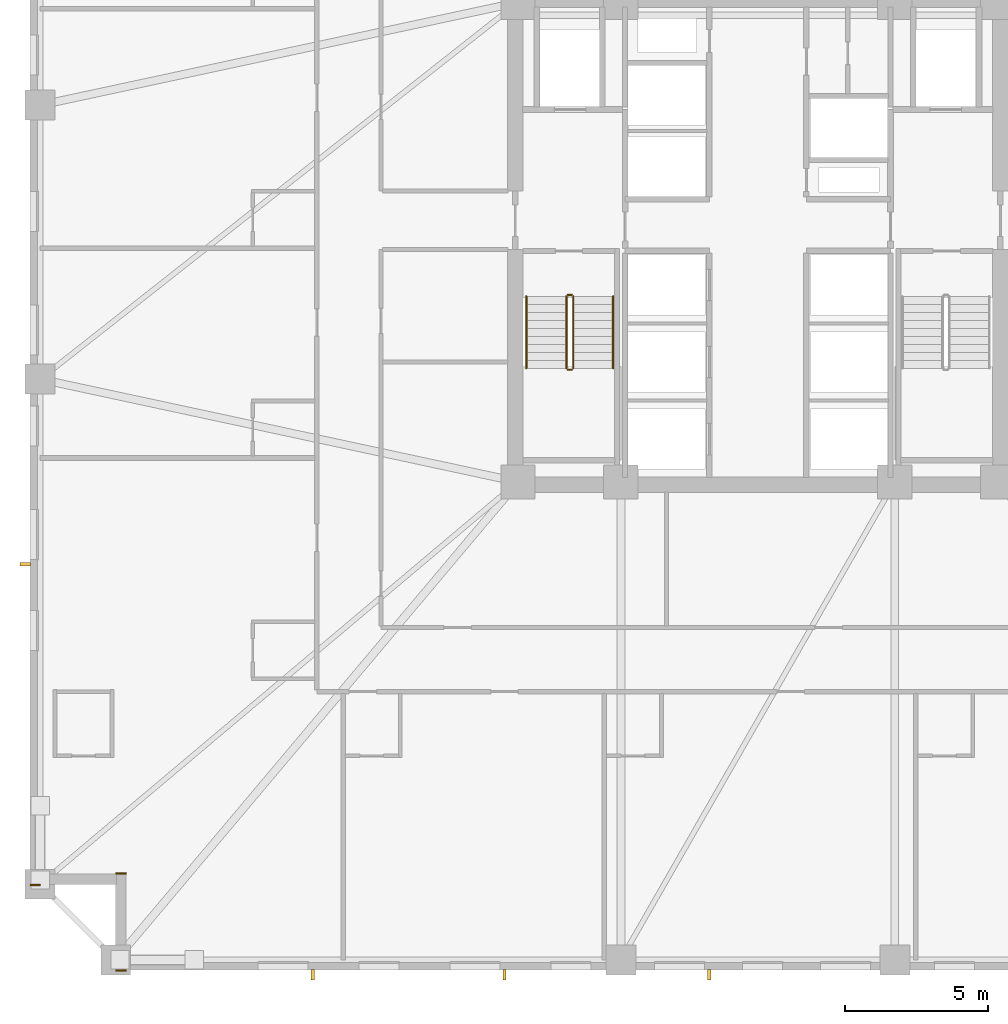
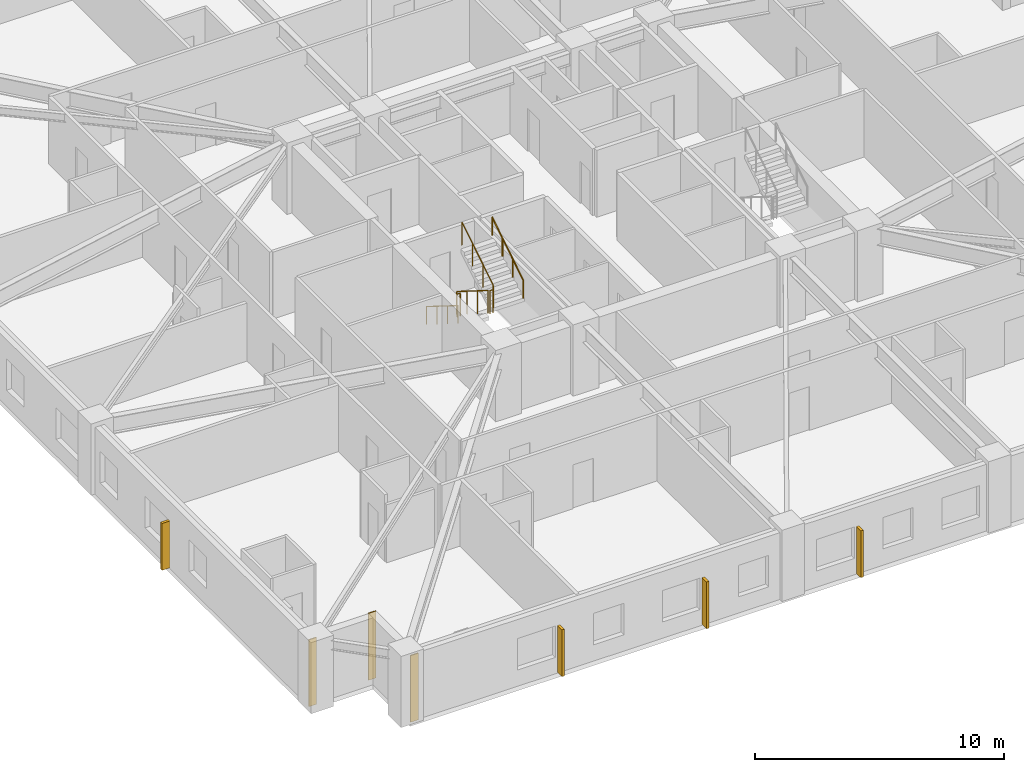
# One storey, part 8 of 11: 6 railings, 4 shading devices, 3 coverings.
"""IFC4 building model written with IfcOpenShell, lengths in metres."""

from ifc_helpers import new_model, si_unit, direction, frame, frame_2d, origin, origin_2d, place, context, subcontext, project, spatial, rectangle, circle, extrude, material, layer, layer_set, type_object, element, save


model = new_model("IFC4")

# Units and contexts
model_context = context("Model", 3, precision=1e-05, world=origin(), true_north=direction((0.0, 1.0)))
body_context = subcontext(model_context, "Body", "Model", "MODEL_VIEW")
ifc_project = project(units=[si_unit("LENGTHUNIT", "METRE"), si_unit("AREAUNIT", "SQUARE_METRE"), si_unit("VOLUMEUNIT", "CUBIC_METRE"), si_unit("PLANEANGLEUNIT", "RADIAN"), si_unit("MASSUNIT", "GRAM", prefix="KILO")], contexts=[model_context])

# Site, building, storey
site_placement = place(None, origin())
site = spatial("IfcSite", under=ifc_project, at=site_placement, CompositionType="ELEMENT")
building_placement = place(site_placement, origin())
building = spatial("IfcBuilding", under=site, at=building_placement, Name="Cairnveth Concourse Tower", CompositionType="ELEMENT")
storey_placement = place(building_placement, frame((0.0, 0.0, 79.5)))
storey = spatial("IfcBuildingStorey", under=building, at=storey_placement, Name="L21", CompositionType="ELEMENT", Elevation=79.5)

# Coverings
ifc_material_1 = material(Name="Dressed Melbourne Bluestone Cladding", Category="masonry")
ifc_layer = layer(ifc_material_1, 0.050048828125)
ifc_layer_set = layer_set([ifc_layer], Name="Dressed Melbourne Bluestone Cladding")
covering_type = type_object("IfcCoveringType", Name="DRESSED BLUESTONE PLINTH CLADDING 50", PredefinedType="CLADDING", material=ifc_layer_set)
for number, where, z_axis, x_axis, name in (
    (1, (29.860107421875, 13.47998046875, 0.0), (0.0, 0.0, 1.0), (-1.0, 0.0, 0.0), "Melbourne Bluestone Corner Quoin L21-283"),
    (2, (29.860107421875, 16.8798828125, 0.0), (0.0, 0.0, 1.0), (-1.0, 0.0, 0.0), "Melbourne Bluestone Corner Quoin L21-284"),
    (3, (26.860107421875, 16.47998046875, 0.0), (0.0, 0.0, 1.0), (-1.0, 0.0, 0.0), "Melbourne Bluestone Corner Quoin L21-285"),
):
    element("IfcCovering", number, at=place(storey_placement, frame(where, z_axis=z_axis, x_axis=x_axis)), inside=storey, type_object=covering_type, Name=name, PredefinedType="CLADDING", context=body_context, shape_type="SweptSolid", body=[
        extrude(rectangle(XDim=0.360107421875, YDim=0.050048828125, at=frame_2d((0.18017578125, 0.0))), origin(), (0.0, 0.0, 1.0), 3.280029296875),
    ])

# Shading devices
ifc_material_2 = material(Name="Architectural Bronze Anodised Aluminium 6063-T6", Category="aluminium")
shading_device_type = type_object("IfcShadingDeviceType", Name="GOTHIC BRONZE VERTICAL LANCET FIN", PredefinedType="USERDEFINED", material=ifc_material_2)
for number, where, z_axis, x_axis, name in (
    (4, (50.293701171875, 13.324951171875, 0.02978515625), (0.0, 0.0, 1.0), (1.0, 0.0, 0.0), "Gothic Bronze Vertical Fin L21-3-7"),
    (5, (43.12353515625, 13.324951171875, 0.02978515625), (0.0, 0.0, 1.0), (1.0, 0.0, 0.0), "Gothic Bronze Vertical Fin L21-3-9"),
    (6, (36.403076171875, 13.324951171875, 0.02978515625), (0.0, 0.0, 1.0), (1.0, 0.0, 0.0), "Gothic Bronze Vertical Fin L21-3-11"),
    (7, (26.324951171875, 27.715576171875, 0.02978515625), (0.0, 0.0, 1.0), (0.0, 1.0, 0.0), "Gothic Bronze Vertical Fin L21-6-3"),
):
    element("IfcShadingDevice", number, at=place(storey_placement, frame(where, z_axis=z_axis, x_axis=x_axis)), inside=storey, type_object=shading_device_type, Name=name, ObjectType="VERTICAL FIN", PredefinedType="USERDEFINED", context=body_context, shape_type="SweptSolid", body=[
        extrude(rectangle(XDim=0.1201171875, YDim=0.360107421875, at=origin_2d()), origin(), (0.0, 0.0, 1.0), 2.303955078125),
    ])

# Railings
ifc_material_3 = material(Name="Steel Grade 350", Category="steel")
railing_type_1 = type_object("IfcRailingType", Name="STAIR GUARDRAIL 1150", PredefinedType="GUARDRAIL", material=ifc_material_3)
railing_1_placement = place(storey_placement, frame((45.2900390625, 37.10009765625, 0.175048828125)))
element("IfcRailing", 8, at=railing_1_placement, inside=storey, type_object=railing_type_1, Name="L21 ST-1 stair guard 1", PredefinedType="GUARDRAIL", context=body_context, shape_type="SweptSolid", body=[
    extrude(circle(Radius=0.02392578125, at=origin_2d()), frame((0.0, 0.0, 1.1259765625), z_axis=(0.0, -0.848007534815, 0.529984170421), x_axis=(1.0, 0.0, 0.0)), (0.0, 0.0, 1.0), 2.9716796875),
    extrude(circle(Radius=0.02099609375, at=origin_2d()), origin(), (0.0, 0.0, 1.0), 1.101806640625),
    extrude(circle(Radius=0.02099609375, at=origin_2d()), frame((0.0, -0.840087890625, 0.52490234375)), (0.0, 0.0, 1.0), 1.101806640625),
    extrude(circle(Radius=0.02099609375, at=origin_2d()), frame((0.0, -1.679931640625, 1.050048828125)), (0.0, 0.0, 1.0), 1.101806640625),
    extrude(circle(Radius=0.02099609375, at=origin_2d()), frame((0.0, -2.52001953125, 1.574951171875)), (0.0, 0.0, 1.0), 1.101806640625),
])
railing_2_placement = place(storey_placement, frame((45.340087890625, 34.530029296875, 1.75)))
element("IfcRailing", 9, at=railing_2_placement, inside=storey, type_object=railing_type_1, Name="L21 ST-1 stair guard 2", PredefinedType="GUARDRAIL", context=body_context, shape_type="SweptSolid", body=[
    extrude(circle(Radius=0.02392578125, at=origin_2d()), frame((0.0, 0.0, 1.1259765625), z_axis=(1.0, 0.0, 0.0), x_axis=(0.0, 1.0, 0.0)), (0.0, 0.0, 1.0), 0.139892578125),
    extrude(circle(Radius=0.02099609375, at=origin_2d()), origin(), (0.0, 0.0, 1.0), 1.101806640625),
    extrude(circle(Radius=0.02099609375, at=origin_2d()), frame((0.139892578125, 0.0, 0.0)), (0.0, 0.0, 1.0), 1.101806640625),
])
railing_3_placement = place(storey_placement, frame((45.530029296875, 34.580078125, 1.925048828125)))
element("IfcRailing", 10, at=railing_3_placement, inside=storey, type_object=railing_type_1, Name="L21 ST-1 stair guard 3", PredefinedType="GUARDRAIL", context=body_context, shape_type="SweptSolid", body=[
    extrude(circle(Radius=0.02392578125, at=origin_2d()), frame((0.0, 0.0, 1.1259765625), z_axis=(0.0, 0.848007534815, 0.529984170421), x_axis=(-1.0, 0.0, 0.0)), (0.0, 0.0, 1.0), 2.9716796875),
    extrude(circle(Radius=0.02099609375, at=origin_2d()), origin(), (0.0, 0.0, 1.0), 1.101806640625),
    extrude(circle(Radius=0.02099609375, at=origin_2d()), frame((0.0, 0.840087890625, 0.52490234375)), (0.0, 0.0, 1.0), 1.101806640625),
    extrude(circle(Radius=0.02099609375, at=origin_2d()), frame((0.0, 1.679931640625, 1.050048828125)), (0.0, 0.0, 1.0), 1.101806640625),
    extrude(circle(Radius=0.02099609375, at=origin_2d()), frame((0.0, 2.52001953125, 1.574951171875)), (0.0, 0.0, 1.0), 1.101806640625),
])
railing_4_placement = place(storey_placement, frame((45.340087890625, 37.14990234375, 0.0)))
element("IfcRailing", 11, at=railing_4_placement, inside=storey, type_object=railing_type_1, Name="L21 ST-1 stair guard 4", PredefinedType="GUARDRAIL", context=body_context, shape_type="SweptSolid", body=[
    extrude(circle(Radius=0.02392578125, at=origin_2d()), frame((0.0, 0.0, 1.1259765625), z_axis=(1.0, 0.0, 0.0), x_axis=(0.0, 1.0, 0.0)), (0.0, 0.0, 1.0), 0.139892578125),
    extrude(circle(Radius=0.02099609375, at=origin_2d()), origin(), (0.0, 0.0, 1.0), 1.101806640625),
    extrude(circle(Radius=0.02099609375, at=origin_2d()), frame((0.139892578125, 0.0, 0.0)), (0.0, 0.0, 1.0), 1.101806640625),
])
railing_type_2 = type_object("IfcRailingType", Name="STAIR WALL HANDRAIL 900", PredefinedType="HANDRAIL", material=ifc_material_3)
railing_5_placement = place(storey_placement, frame((43.889892578125, 37.10009765625, 0.175048828125)))
element("IfcRailing", 12, at=railing_5_placement, inside=storey, type_object=railing_type_2, Name="L21 ST-1 stair handrail 1", PredefinedType="HANDRAIL", context=body_context, shape_type="SweptSolid", body=[
    extrude(circle(Radius=0.02392578125, at=origin_2d()), frame((0.0, 0.0, 0.8759765625), z_axis=(0.0, -0.848007534815, 0.529984170421), x_axis=(1.0, 0.0, 0.0)), (0.0, 0.0, 1.0), 2.9716796875),
    extrude(circle(Radius=0.02099609375, at=origin_2d()), origin(), (0.0, 0.0, 1.0), 0.851806640625),
    extrude(circle(Radius=0.02099609375, at=origin_2d()), frame((0.0, -0.840087890625, 0.52490234375)), (0.0, 0.0, 1.0), 0.851806640625),
    extrude(circle(Radius=0.02099609375, at=origin_2d()), frame((0.0, -1.679931640625, 1.050048828125)), (0.0, 0.0, 1.0), 0.851806640625),
    extrude(circle(Radius=0.02099609375, at=origin_2d()), frame((0.0, -2.52001953125, 1.574951171875)), (0.0, 0.0, 1.0), 0.851806640625),
])
railing_6_placement = place(storey_placement, frame((46.929931640625, 34.580078125, 1.925048828125)))
element("IfcRailing", 13, at=railing_6_placement, inside=storey, type_object=railing_type_2, Name="L21 ST-1 stair handrail 2", PredefinedType="HANDRAIL", context=body_context, shape_type="SweptSolid", body=[
    extrude(circle(Radius=0.02392578125, at=origin_2d()), frame((0.0, 0.0, 0.8759765625), z_axis=(0.0, 0.848007534815, 0.529984170421), x_axis=(-1.0, 0.0, 0.0)), (0.0, 0.0, 1.0), 2.9716796875),
    extrude(circle(Radius=0.02099609375, at=origin_2d()), origin(), (0.0, 0.0, 1.0), 0.851806640625),
    extrude(circle(Radius=0.02099609375, at=origin_2d()), frame((0.0, 0.840087890625, 0.52490234375)), (0.0, 0.0, 1.0), 0.851806640625),
    extrude(circle(Radius=0.02099609375, at=origin_2d()), frame((0.0, 1.679931640625, 1.050048828125)), (0.0, 0.0, 1.0), 0.851806640625),
    extrude(circle(Radius=0.02099609375, at=origin_2d()), frame((0.0, 2.52001953125, 1.574951171875)), (0.0, 0.0, 1.0), 0.851806640625),
])

save(model, "model.ifc")
